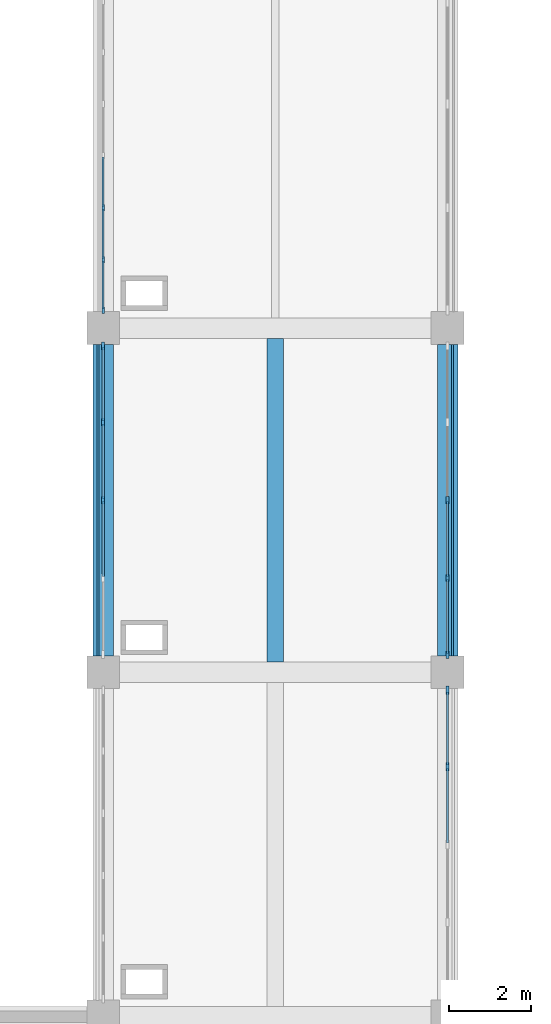
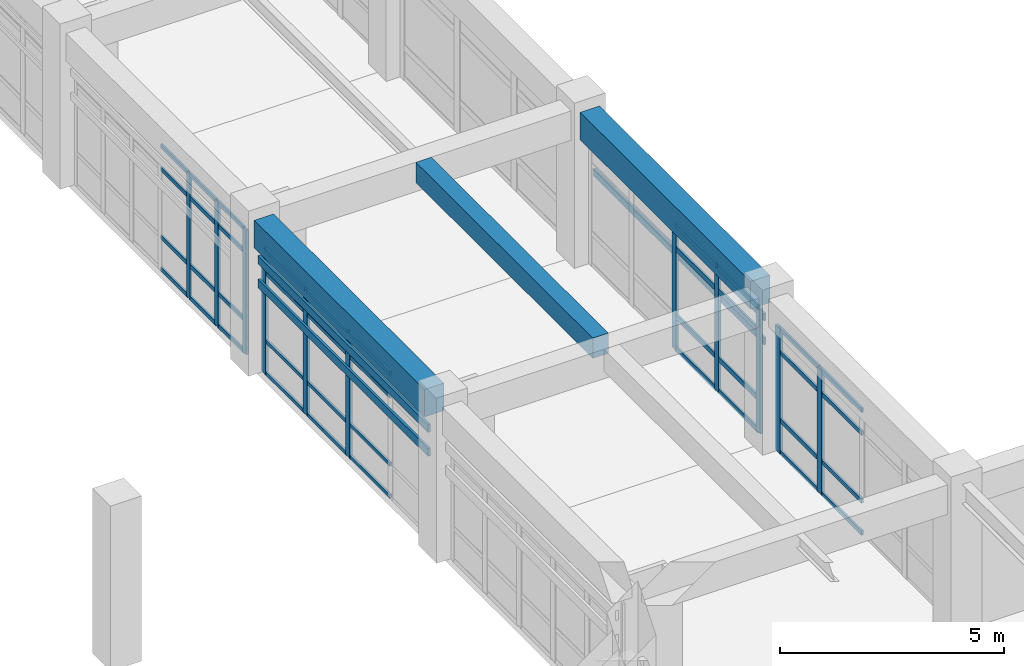
# One storey, part 23 of 99: 55 members, 3 beams, 4 elements without a shape of their own.
"""IFC4 building model written with IfcOpenShell, lengths in metres."""

from ifc_helpers import new_model, si_unit, direction, frame, origin, origin_2d, place, context, subcontext, project, spatial, rectangle, extrude, material, layer, layer_set, material_profile, profile_set, type_object, element, aggregate, save


model = new_model("IFC4")

# Units and contexts
model_context = context("Model", 3, precision=1e-05, world=origin(), true_north=direction((0.0, 1.0)))
body_context = subcontext(model_context, "Body", "Model", "MODEL_VIEW")
ifc_project = project(units=[si_unit("LENGTHUNIT", "METRE"), si_unit("AREAUNIT", "SQUARE_METRE"), si_unit("VOLUMEUNIT", "CUBIC_METRE"), si_unit("PLANEANGLEUNIT", "RADIAN"), si_unit("MASSUNIT", "GRAM", prefix="KILO")], contexts=[model_context])

# Site, building, storey
site_placement = place(None, origin())
site = spatial("IfcSite", under=ifc_project, at=site_placement, CompositionType="ELEMENT")
building_placement = place(site_placement, origin())
building = spatial("IfcBuilding", under=site, at=building_placement, Name="Porcellanite Civic Hall", CompositionType="ELEMENT")
storey_placement = place(building_placement, frame((0.0, 0.0, 5.760009765625)))
storey = spatial("IfcBuildingStorey", under=building, at=storey_placement, Name="L01", CompositionType="ELEMENT", Elevation=5.760009765625)

# Beams
ifc_material_1 = material(Name="Concrete N50 (50 MPa)", Category="concrete")
ifc_material_profile_1 = material_profile(ifc_material_1, rectangle(XDim=0.39990234375, YDim=0.550048828125, at=origin_2d()), Name="RC-400x550")
ifc_profile_set_1 = profile_set([ifc_material_profile_1], Name="Concrete N50 (50 MPa)")
beam_type_1 = type_object("IfcBeamType", Name="BM-RC550", PredefinedType="JOIST", material=ifc_profile_set_1)
beam_placement = place(storey_placement, frame((54.60009765625, 75.849609375, 3.925048828125), z_axis=(0.0, 1.0, 0.0), x_axis=(-1.0, 0.0, 0.0)))
element("IfcBeam", 1, at=beam_placement, inside=storey, type_object=beam_type_1, Name="Secondary joist L01 7-10", PredefinedType="JOIST", context=body_context, shape_type="SweptSolid", body=[
    extrude(rectangle(XDim=0.39990234375, YDim=0.550048828125, at=origin_2d()), origin(), (0.0, 0.0, 1.0), 7.90087890625),
])
ifc_material_2 = material(Name="Concrete N50 (50 MPa)", Category="concrete")
ifc_material_profile_2 = material_profile(ifc_material_2, rectangle(XDim=0.5, YDim=0.75, at=origin_2d()), Name="RC-500x750")
ifc_profile_set_2 = profile_set([ifc_material_profile_2], Name="Concrete N50 (50 MPa)")
beam_type_2 = type_object("IfcBeamType", Name="BM-RC750", PredefinedType="SPANDREL", material=ifc_profile_set_2)
for number, where, z_axis, x_axis, name in (
    (2, (50.39990234375, 75.99951171875, 3.824951171875), (0.0, 1.0, 0.0), (-1.0, 0.0, 0.0), "Beam Y L01 7-10"),
    (3, (58.800048828125, 75.99951171875, 3.824951171875), (0.0, 1.0, 0.0), (-1.0, 0.0, 0.0), "Beam Y L01 8-10"),
):
    element("IfcBeam", number, at=place(storey_placement, frame(where, z_axis=z_axis, x_axis=x_axis)), inside=storey, type_object=beam_type_2, Name=name, PredefinedType="SPANDREL", context=body_context, shape_type="SweptSolid", body=[
        extrude(rectangle(XDim=0.5, YDim=0.75, at=origin_2d()), origin(), (0.0, 0.0, 1.0), 7.60107421875),
    ])

# Curtain wall, members
ifc_material_3 = material(Name="Anodised aluminium and solar laminated glass", Category="aluminium")
ifc_layer_1 = layer(ifc_material_3, 0.179931640625)
ifc_layer_set_1 = layer_set([ifc_layer_1], Name="Anodised aluminium and solar laminated glass")
curtain_wall_type_1 = type_object("IfcCurtainWallType", Name="CW-SYS03", PredefinedType="NOTDEFINED", material=ifc_layer_set_1)
curtain_wall_1_placement = place(storey_placement, origin())
curtain_wall_1 = element("IfcCurtainWall", 4, at=curtain_wall_1_placement, inside=storey, type_object=curtain_wall_type_1, Name="Curtain wall CW-078", PredefinedType="NOTDEFINED")
ifc_material_4 = material(Name="Anodised aluminium 6063-T6", Category="aluminium")
ifc_material_profile_3 = material_profile(ifc_material_4, rectangle(XDim=0.080078125, YDim=0.2099609375, at=origin_2d()), Name="AL-80x210")
ifc_profile_set_3 = profile_set([ifc_material_profile_3], Name="Anodised aluminium 6063-T6")
member_type_1 = type_object("IfcMemberType", Name="CWM-02", PredefinedType="MULLION", material=ifc_profile_set_3)
member_1_placement = place(storey_placement, frame((58.800048828125, 75.158935546875, 0.0), z_axis=(0.0, 0.0, 1.0), x_axis=(1.0, 0.0, 0.0)))
member_1 = element("IfcMember", 5, at=member_1_placement, type_object=member_type_1, Name="CW-078 mullion 1", PredefinedType="MULLION", context=body_context, shape_type="SweptSolid", body=[
    extrude(rectangle(XDim=0.080078125, YDim=0.2099609375, at=origin_2d()), origin(), (0.0, 0.0, 1.0), 3.39990234375),
])
member_2_placement = place(storey_placement, frame((58.800048828125, 73.299560546875, 0.0), z_axis=(0.0, 0.0, 1.0), x_axis=(1.0, 0.0, 0.0)))
member_2 = element("IfcMember", 6, at=member_2_placement, type_object=member_type_1, Name="CW-078 mullion 2", PredefinedType="MULLION", context=body_context, shape_type="SweptSolid", body=[
    extrude(rectangle(XDim=0.080078125, YDim=0.2099609375, at=origin_2d()), origin(), (0.0, 0.0, 1.0), 3.39990234375),
])

ifc_material_5 = material(Name="Anodised aluminium and solar laminated glass", Category="aluminium")
ifc_layer_2 = layer(ifc_material_5, 0.179931640625)
ifc_layer_set_2 = layer_set([ifc_layer_2], Name="Anodised aluminium and solar laminated glass")
curtain_wall_type_2 = type_object("IfcCurtainWallType", Name="CW-SYS04", PredefinedType="NOTDEFINED", material=ifc_layer_set_2)
curtain_wall_2_placement = place(storey_placement, origin())
curtain_wall_2 = element("IfcCurtainWall", 7, at=curtain_wall_2_placement, inside=storey, type_object=curtain_wall_type_2, Name="Curtain wall CW-079", PredefinedType="NOTDEFINED")
ifc_material_6 = material(Name="Anodised aluminium 6063-T6", Category="aluminium")
ifc_material_profile_4 = material_profile(ifc_material_6, rectangle(XDim=0.074951171875, YDim=0.18994140625, at=origin_2d()), Name="AL-75x190")
ifc_profile_set_4 = profile_set([ifc_material_profile_4], Name="Anodised aluminium 6063-T6")
member_type_2 = type_object("IfcMemberType", Name="CWM-04", PredefinedType="MULLION", material=ifc_profile_set_4)
member_3_placement = place(storey_placement, frame((50.39990234375, 79.800048828125, 0.0), z_axis=(0.0, 0.0, 1.0), x_axis=(-1.0, 0.0, 0.0)))
member_3 = element("IfcMember", 8, at=member_3_placement, type_object=member_type_2, Name="CW-079 mullion 3", PredefinedType="MULLION", context=body_context, shape_type="SweptSolid", body=[
    extrude(rectangle(XDim=0.074951171875, YDim=0.18994140625, at=origin_2d()), origin(), (0.0, 0.0, 1.0), 3.39990234375),
])
member_4_placement = place(storey_placement, frame((50.39990234375, 81.699462890625, 0.0), z_axis=(0.0, 0.0, 1.0), x_axis=(-1.0, 0.0, 0.0)))
member_4 = element("IfcMember", 9, at=member_4_placement, type_object=member_type_2, Name="CW-079 mullion 4", PredefinedType="MULLION", context=body_context, shape_type="SweptSolid", body=[
    extrude(rectangle(XDim=0.074951171875, YDim=0.18994140625, at=origin_2d()), origin(), (0.0, 0.0, 1.0), 3.39990234375),
])
member_5_placement = place(storey_placement, frame((50.39990234375, 83.5615234375, 0.0), z_axis=(0.0, 0.0, 1.0), x_axis=(-1.0, 0.0, 0.0)))
member_5 = element("IfcMember", 10, at=member_5_placement, type_object=member_type_2, Name="CW-079 mullion 5", PredefinedType="MULLION", context=body_context, shape_type="SweptSolid", body=[
    extrude(rectangle(XDim=0.074951171875, YDim=0.18994140625, at=origin_2d()), origin(), (0.0, 0.0, 1.0), 3.39990234375),
])

ifc_material_7 = material(Name="Anodised aluminium and solar laminated glass", Category="aluminium")
ifc_layer_3 = layer(ifc_material_7, 0.179931640625)
ifc_layer_set_3 = layer_set([ifc_layer_3], Name="Anodised aluminium and solar laminated glass")
curtain_wall_type_3 = type_object("IfcCurtainWallType", Name="CW-SYS06", PredefinedType="NOTDEFINED", material=ifc_layer_set_3)
curtain_wall_3_placement = place(storey_placement, origin())
curtain_wall_3 = element("IfcCurtainWall", 11, at=curtain_wall_3_placement, inside=storey, type_object=curtain_wall_type_3, Name="Curtain wall CW-080", PredefinedType="NOTDEFINED")
ifc_material_8 = material(Name="Anodised aluminium 6063-T6", Category="aluminium")
ifc_material_profile_5 = material_profile(ifc_material_8, rectangle(XDim=0.06494140625, YDim=0.179931640625, at=origin_2d()), Name="AL-65x180")
ifc_profile_set_5 = profile_set([ifc_material_profile_5], Name="Anodised aluminium 6063-T6")
member_type_3 = type_object("IfcMemberType", Name="CWM-06", PredefinedType="MULLION", material=ifc_profile_set_5)
member_6_placement = place(storey_placement, frame((58.800048828125, 79.800048828125, 0.0), z_axis=(0.0, 0.0, 1.0), x_axis=(1.0, 0.0, 0.0)))
member_6 = element("IfcMember", 12, at=member_6_placement, type_object=member_type_3, Name="CW-080 mullion 3", PredefinedType="MULLION", context=body_context, shape_type="SweptSolid", body=[
    extrude(rectangle(XDim=0.06494140625, YDim=0.179931640625, at=origin_2d()), origin(), (0.0, 0.0, 1.0), 3.39990234375),
])
member_7_placement = place(storey_placement, frame((58.800048828125, 77.900390625, 0.0), z_axis=(0.0, 0.0, 1.0), x_axis=(1.0, 0.0, 0.0)))
member_7 = element("IfcMember", 13, at=member_7_placement, type_object=member_type_3, Name="CW-080 mullion 4", PredefinedType="MULLION", context=body_context, shape_type="SweptSolid", body=[
    extrude(rectangle(XDim=0.06494140625, YDim=0.179931640625, at=origin_2d()), origin(), (0.0, 0.0, 1.0), 3.39990234375),
])
member_8_placement = place(storey_placement, frame((58.800048828125, 76.033447265625, 0.0), z_axis=(0.0, 0.0, 1.0), x_axis=(1.0, 0.0, 0.0)))
member_8 = element("IfcMember", 14, at=member_8_placement, type_object=member_type_3, Name="CW-080 mullion 5", PredefinedType="MULLION", context=body_context, shape_type="SweptSolid", body=[
    extrude(rectangle(XDim=0.06494140625, YDim=0.179931640625, at=origin_2d()), origin(), (0.0, 0.0, 1.0), 3.39990234375),
])

ifc_material_9 = material(Name="Anodised aluminium and solar laminated glass", Category="aluminium")
ifc_layer_4 = layer(ifc_material_9, 0.179931640625)
ifc_layer_set_4 = layer_set([ifc_layer_4], Name="Anodised aluminium and solar laminated glass")
curtain_wall_type_4 = type_object("IfcCurtainWallType", Name="CW-SYS07", PredefinedType="NOTDEFINED", material=ifc_layer_set_4)
curtain_wall_4_placement = place(storey_placement, origin())
curtain_wall_4 = element("IfcCurtainWall", 15, at=curtain_wall_4_placement, inside=storey, type_object=curtain_wall_type_4, Name="Curtain wall CW-081", PredefinedType="NOTDEFINED")
ifc_material_10 = material(Name="Anodised aluminium 6063-T6", Category="aluminium")
ifc_material_profile_6 = material_profile(ifc_material_10, rectangle(XDim=0.06005859375, YDim=0.159912109375, at=origin_2d()), Name="AL-60x160")
ifc_profile_set_6 = profile_set([ifc_material_profile_6], Name="Anodised aluminium 6063-T6")
member_type_4 = type_object("IfcMemberType", Name="CWM-07", PredefinedType="MULLION", material=ifc_profile_set_6)
member_9_placement = place(storey_placement, frame((50.39990234375, 84.430908203125, 0.0), z_axis=(0.0, 0.0, 1.0), x_axis=(-1.0, 0.0, 0.0)))
member_9 = element("IfcMember", 16, at=member_9_placement, type_object=member_type_4, Name="CW-081 mullion 1", PredefinedType="MULLION", context=body_context, shape_type="SweptSolid", body=[
    extrude(rectangle(XDim=0.06005859375, YDim=0.159912109375, at=origin_2d()), origin(), (0.0, 0.0, 1.0), 3.39990234375),
])
member_10_placement = place(storey_placement, frame((50.39990234375, 85.667236328125, 0.0), z_axis=(0.0, 0.0, 1.0), x_axis=(-1.0, 0.0, 0.0)))
member_10 = element("IfcMember", 17, at=member_10_placement, type_object=member_type_4, Name="CW-081 mullion 2", PredefinedType="MULLION", context=body_context, shape_type="SweptSolid", body=[
    extrude(rectangle(XDim=0.06005859375, YDim=0.159912109375, at=origin_2d()), origin(), (0.0, 0.0, 1.0), 3.39990234375),
])
member_11_placement = place(storey_placement, frame((50.39990234375, 86.93359375, 0.0), z_axis=(0.0, 0.0, 1.0), x_axis=(-1.0, 0.0, 0.0)))
member_11 = element("IfcMember", 18, at=member_11_placement, type_object=member_type_4, Name="CW-081 mullion 3", PredefinedType="MULLION", context=body_context, shape_type="SweptSolid", body=[
    extrude(rectangle(XDim=0.06005859375, YDim=0.159912109375, at=origin_2d()), origin(), (0.0, 0.0, 1.0), 3.39990234375),
])

# Member
ifc_material_11 = material(Name="Anodised aluminium 6063-T6", Category="aluminium")
ifc_material_profile_7 = material_profile(ifc_material_11, rectangle(XDim=0.054931640625, YDim=0.1201171875, at=origin_2d()), Name="AL-55x120")
ifc_profile_set_7 = profile_set([ifc_material_profile_7], Name="Anodised aluminium 6063-T6")
member_type_5 = type_object("IfcMemberType", Name="CWT-04", PredefinedType="USERDEFINED", material=ifc_profile_set_7)
member_12_placement = place(storey_placement, frame((58.800048828125, 75.118896484375, 0.027587890625), z_axis=(0.0, -1.0, 0.0), x_axis=(1.0, 0.0, 0.0)))
member_12 = element("IfcMember", 19, at=member_12_placement, type_object=member_type_5, Name="CW-078 transom 1.1", ObjectType="TRANSOM", PredefinedType="USERDEFINED", context=body_context, shape_type="SweptSolid", body=[
    extrude(rectangle(XDim=0.054931640625, YDim=0.1201171875, at=origin_2d()), origin(), (0.0, 0.0, 1.0), 1.779296875),
])

member_13_placement = place(storey_placement, frame((58.800048828125, 75.118896484375, 0.89990234375), z_axis=(0.0, -1.0, 0.0), x_axis=(1.0, 0.0, 0.0)))
member_13 = element("IfcMember", 20, at=member_13_placement, type_object=member_type_5, Name="CW-078 transom 1.2", ObjectType="TRANSOM", PredefinedType="USERDEFINED", context=body_context, shape_type="SweptSolid", body=[
    extrude(rectangle(XDim=0.054931640625, YDim=0.1201171875, at=origin_2d()), origin(), (0.0, 0.0, 1.0), 1.779296875),
])

member_14_placement = place(storey_placement, frame((58.800048828125, 75.118896484375, 2.75), z_axis=(0.0, -1.0, 0.0), x_axis=(1.0, 0.0, 0.0)))
member_14 = element("IfcMember", 21, at=member_14_placement, type_object=member_type_5, Name="CW-078 transom 1.3", ObjectType="TRANSOM", PredefinedType="USERDEFINED", context=body_context, shape_type="SweptSolid", body=[
    extrude(rectangle(XDim=0.054931640625, YDim=0.1201171875, at=origin_2d()), origin(), (0.0, 0.0, 1.0), 1.779296875),
])

member_15_placement = place(storey_placement, frame((58.800048828125, 75.118896484375, 3.37255859375), z_axis=(0.0, -1.0, 0.0), x_axis=(1.0, 0.0, 0.0)))
member_15 = element("IfcMember", 22, at=member_15_placement, type_object=member_type_5, Name="CW-078 transom 1.4", ObjectType="TRANSOM", PredefinedType="USERDEFINED", context=body_context, shape_type="SweptSolid", body=[
    extrude(rectangle(XDim=0.054931640625, YDim=0.1201171875, at=origin_2d()), origin(), (0.0, 0.0, 1.0), 1.779296875),
])

member_16_placement = place(storey_placement, frame((58.800048828125, 73.259521484375, 0.027587890625), z_axis=(0.0, -1.0, 0.0), x_axis=(1.0, 0.0, 0.0)))
member_16 = element("IfcMember", 23, at=member_16_placement, type_object=member_type_5, Name="CW-078 transom 2.1", ObjectType="TRANSOM", PredefinedType="USERDEFINED", context=body_context, shape_type="SweptSolid", body=[
    extrude(rectangle(XDim=0.054931640625, YDim=0.1201171875, at=origin_2d()), origin(), (0.0, 0.0, 1.0), 1.819580078125),
])

member_17_placement = place(storey_placement, frame((58.800048828125, 73.259521484375, 0.89990234375), z_axis=(0.0, -1.0, 0.0), x_axis=(1.0, 0.0, 0.0)))
member_17 = element("IfcMember", 24, at=member_17_placement, type_object=member_type_5, Name="CW-078 transom 2.2", ObjectType="TRANSOM", PredefinedType="USERDEFINED", context=body_context, shape_type="SweptSolid", body=[
    extrude(rectangle(XDim=0.054931640625, YDim=0.1201171875, at=origin_2d()), origin(), (0.0, 0.0, 1.0), 1.819580078125),
])

member_18_placement = place(storey_placement, frame((58.800048828125, 73.259521484375, 2.75), z_axis=(0.0, -1.0, 0.0), x_axis=(1.0, 0.0, 0.0)))
member_18 = element("IfcMember", 25, at=member_18_placement, type_object=member_type_5, Name="CW-078 transom 2.3", ObjectType="TRANSOM", PredefinedType="USERDEFINED", context=body_context, shape_type="SweptSolid", body=[
    extrude(rectangle(XDim=0.054931640625, YDim=0.1201171875, at=origin_2d()), origin(), (0.0, 0.0, 1.0), 1.819580078125),
])

member_19_placement = place(storey_placement, frame((58.800048828125, 73.259521484375, 3.37255859375), z_axis=(0.0, -1.0, 0.0), x_axis=(1.0, 0.0, 0.0)))
member_19 = element("IfcMember", 26, at=member_19_placement, type_object=member_type_5, Name="CW-078 transom 2.4", ObjectType="TRANSOM", PredefinedType="USERDEFINED", context=body_context, shape_type="SweptSolid", body=[
    extrude(rectangle(XDim=0.054931640625, YDim=0.1201171875, at=origin_2d()), origin(), (0.0, 0.0, 1.0), 1.819580078125),
])

aggregate(curtain_wall_1, [member_1, member_2, member_12, member_13, member_14, member_15, member_16, member_17, member_18, member_19])

ifc_material_12 = material(Name="Anodised aluminium 6063-T6", Category="aluminium")
ifc_material_profile_8 = material_profile(ifc_material_12, rectangle(XDim=0.054931640625, YDim=0.10009765625, at=origin_2d()), Name="AL-55x100")
ifc_profile_set_8 = profile_set([ifc_material_profile_8], Name="Anodised aluminium 6063-T6")
member_type_6 = type_object("IfcMemberType", Name="CWT-05", PredefinedType="USERDEFINED", material=ifc_profile_set_8)
member_20_placement = place(storey_placement, frame((50.39990234375, 77.93798828125, 0.027587890625), z_axis=(0.0, 1.0, 0.0), x_axis=(-1.0, 0.0, 0.0)))
member_20 = element("IfcMember", 27, at=member_20_placement, type_object=member_type_6, Name="CW-079 transom 2.1", ObjectType="TRANSOM", PredefinedType="USERDEFINED", context=body_context, shape_type="SweptSolid", body=[
    extrude(rectangle(XDim=0.054931640625, YDim=0.10009765625, at=origin_2d()), origin(), (0.0, 0.0, 1.0), 1.824462890625),
])

member_21_placement = place(storey_placement, frame((50.39990234375, 77.93798828125, 0.89990234375), z_axis=(0.0, 1.0, 0.0), x_axis=(-1.0, 0.0, 0.0)))
member_21 = element("IfcMember", 28, at=member_21_placement, type_object=member_type_6, Name="CW-079 transom 2.2", ObjectType="TRANSOM", PredefinedType="USERDEFINED", context=body_context, shape_type="SweptSolid", body=[
    extrude(rectangle(XDim=0.054931640625, YDim=0.10009765625, at=origin_2d()), origin(), (0.0, 0.0, 1.0), 1.824462890625),
])

member_22_placement = place(storey_placement, frame((50.39990234375, 77.93798828125, 2.75), z_axis=(0.0, 1.0, 0.0), x_axis=(-1.0, 0.0, 0.0)))
member_22 = element("IfcMember", 29, at=member_22_placement, type_object=member_type_6, Name="CW-079 transom 2.3", ObjectType="TRANSOM", PredefinedType="USERDEFINED", context=body_context, shape_type="SweptSolid", body=[
    extrude(rectangle(XDim=0.054931640625, YDim=0.10009765625, at=origin_2d()), origin(), (0.0, 0.0, 1.0), 1.824462890625),
])

member_23_placement = place(storey_placement, frame((50.39990234375, 77.93798828125, 3.37255859375), z_axis=(0.0, 1.0, 0.0), x_axis=(-1.0, 0.0, 0.0)))
member_23 = element("IfcMember", 30, at=member_23_placement, type_object=member_type_6, Name="CW-079 transom 2.4", ObjectType="TRANSOM", PredefinedType="USERDEFINED", context=body_context, shape_type="SweptSolid", body=[
    extrude(rectangle(XDim=0.054931640625, YDim=0.10009765625, at=origin_2d()), origin(), (0.0, 0.0, 1.0), 1.824462890625),
])

member_24_placement = place(storey_placement, frame((50.39990234375, 79.83740234375, 0.027587890625), z_axis=(0.0, 1.0, 0.0), x_axis=(-1.0, 0.0, 0.0)))
member_24 = element("IfcMember", 31, at=member_24_placement, type_object=member_type_6, Name="CW-079 transom 3.1", ObjectType="TRANSOM", PredefinedType="USERDEFINED", context=body_context, shape_type="SweptSolid", body=[
    extrude(rectangle(XDim=0.054931640625, YDim=0.10009765625, at=origin_2d()), origin(), (0.0, 0.0, 1.0), 1.82470703125),
])

member_25_placement = place(storey_placement, frame((50.39990234375, 79.83740234375, 0.89990234375), z_axis=(0.0, 1.0, 0.0), x_axis=(-1.0, 0.0, 0.0)))
member_25 = element("IfcMember", 32, at=member_25_placement, type_object=member_type_6, Name="CW-079 transom 3.2", ObjectType="TRANSOM", PredefinedType="USERDEFINED", context=body_context, shape_type="SweptSolid", body=[
    extrude(rectangle(XDim=0.054931640625, YDim=0.10009765625, at=origin_2d()), origin(), (0.0, 0.0, 1.0), 1.82470703125),
])

member_26_placement = place(storey_placement, frame((50.39990234375, 79.83740234375, 2.75), z_axis=(0.0, 1.0, 0.0), x_axis=(-1.0, 0.0, 0.0)))
member_26 = element("IfcMember", 33, at=member_26_placement, type_object=member_type_6, Name="CW-079 transom 3.3", ObjectType="TRANSOM", PredefinedType="USERDEFINED", context=body_context, shape_type="SweptSolid", body=[
    extrude(rectangle(XDim=0.054931640625, YDim=0.10009765625, at=origin_2d()), origin(), (0.0, 0.0, 1.0), 1.82470703125),
])

member_27_placement = place(storey_placement, frame((50.39990234375, 79.83740234375, 3.37255859375), z_axis=(0.0, 1.0, 0.0), x_axis=(-1.0, 0.0, 0.0)))
member_27 = element("IfcMember", 34, at=member_27_placement, type_object=member_type_6, Name="CW-079 transom 3.4", ObjectType="TRANSOM", PredefinedType="USERDEFINED", context=body_context, shape_type="SweptSolid", body=[
    extrude(rectangle(XDim=0.054931640625, YDim=0.10009765625, at=origin_2d()), origin(), (0.0, 0.0, 1.0), 1.82470703125),
])

member_28_placement = place(storey_placement, frame((50.39990234375, 81.737060546875, 0.027587890625), z_axis=(0.0, 1.0, 0.0), x_axis=(-1.0, 0.0, 0.0)))
member_28 = element("IfcMember", 35, at=member_28_placement, type_object=member_type_6, Name="CW-079 transom 4.1", ObjectType="TRANSOM", PredefinedType="USERDEFINED", context=body_context, shape_type="SweptSolid", body=[
    extrude(rectangle(XDim=0.054931640625, YDim=0.10009765625, at=origin_2d()), origin(), (0.0, 0.0, 1.0), 1.786865234375),
])

member_29_placement = place(storey_placement, frame((50.39990234375, 81.737060546875, 0.89990234375), z_axis=(0.0, 1.0, 0.0), x_axis=(-1.0, 0.0, 0.0)))
member_29 = element("IfcMember", 36, at=member_29_placement, type_object=member_type_6, Name="CW-079 transom 4.2", ObjectType="TRANSOM", PredefinedType="USERDEFINED", context=body_context, shape_type="SweptSolid", body=[
    extrude(rectangle(XDim=0.054931640625, YDim=0.10009765625, at=origin_2d()), origin(), (0.0, 0.0, 1.0), 1.786865234375),
])

member_30_placement = place(storey_placement, frame((50.39990234375, 81.737060546875, 2.75), z_axis=(0.0, 1.0, 0.0), x_axis=(-1.0, 0.0, 0.0)))
member_30 = element("IfcMember", 37, at=member_30_placement, type_object=member_type_6, Name="CW-079 transom 4.3", ObjectType="TRANSOM", PredefinedType="USERDEFINED", context=body_context, shape_type="SweptSolid", body=[
    extrude(rectangle(XDim=0.054931640625, YDim=0.10009765625, at=origin_2d()), origin(), (0.0, 0.0, 1.0), 1.786865234375),
])

member_31_placement = place(storey_placement, frame((50.39990234375, 81.737060546875, 3.37255859375), z_axis=(0.0, 1.0, 0.0), x_axis=(-1.0, 0.0, 0.0)))
member_31 = element("IfcMember", 38, at=member_31_placement, type_object=member_type_6, Name="CW-079 transom 4.4", ObjectType="TRANSOM", PredefinedType="USERDEFINED", context=body_context, shape_type="SweptSolid", body=[
    extrude(rectangle(XDim=0.054931640625, YDim=0.10009765625, at=origin_2d()), origin(), (0.0, 0.0, 1.0), 1.786865234375),
])

aggregate(curtain_wall_2, [member_3, member_4, member_5, member_20, member_21, member_22, member_23, member_24, member_25, member_26, member_27, member_28, member_29, member_30, member_31])

ifc_material_13 = material(Name="Anodised aluminium 6063-T6", Category="aluminium")
ifc_material_profile_9 = material_profile(ifc_material_13, rectangle(XDim=0.050048828125, YDim=0.139892578125, at=origin_2d()), Name="AL-50x140")
ifc_profile_set_9 = profile_set([ifc_material_profile_9], Name="Anodised aluminium 6063-T6")
member_type_7 = type_object("IfcMemberType", Name="CWT-06", PredefinedType="USERDEFINED", material=ifc_profile_set_9)
member_32_placement = place(storey_placement, frame((58.800048828125, 79.767578125, 0.02490234375), z_axis=(0.0, -1.0, 0.0), x_axis=(1.0, 0.0, 0.0)))
member_32 = element("IfcMember", 39, at=member_32_placement, type_object=member_type_7, Name="CW-080 transom 3.1", ObjectType="TRANSOM", PredefinedType="USERDEFINED", context=body_context, shape_type="SweptSolid", body=[
    extrude(rectangle(XDim=0.050048828125, YDim=0.139892578125, at=origin_2d()), origin(), (0.0, 0.0, 1.0), 1.83447265625),
])

member_33_placement = place(storey_placement, frame((58.800048828125, 79.767578125, 0.89990234375), z_axis=(0.0, -1.0, 0.0), x_axis=(1.0, 0.0, 0.0)))
member_33 = element("IfcMember", 40, at=member_33_placement, type_object=member_type_7, Name="CW-080 transom 3.2", ObjectType="TRANSOM", PredefinedType="USERDEFINED", context=body_context, shape_type="SweptSolid", body=[
    extrude(rectangle(XDim=0.050048828125, YDim=0.139892578125, at=origin_2d()), origin(), (0.0, 0.0, 1.0), 1.83447265625),
])

member_34_placement = place(storey_placement, frame((58.800048828125, 79.767578125, 2.75), z_axis=(0.0, -1.0, 0.0), x_axis=(1.0, 0.0, 0.0)))
member_34 = element("IfcMember", 41, at=member_34_placement, type_object=member_type_7, Name="CW-080 transom 3.3", ObjectType="TRANSOM", PredefinedType="USERDEFINED", context=body_context, shape_type="SweptSolid", body=[
    extrude(rectangle(XDim=0.050048828125, YDim=0.139892578125, at=origin_2d()), origin(), (0.0, 0.0, 1.0), 1.83447265625),
])

member_35_placement = place(storey_placement, frame((58.800048828125, 79.767578125, 3.375), z_axis=(0.0, -1.0, 0.0), x_axis=(1.0, 0.0, 0.0)))
member_35 = element("IfcMember", 42, at=member_35_placement, type_object=member_type_7, Name="CW-080 transom 3.4", ObjectType="TRANSOM", PredefinedType="USERDEFINED", context=body_context, shape_type="SweptSolid", body=[
    extrude(rectangle(XDim=0.050048828125, YDim=0.139892578125, at=origin_2d()), origin(), (0.0, 0.0, 1.0), 1.83447265625),
])

member_36_placement = place(storey_placement, frame((58.800048828125, 77.867919921875, 0.02490234375), z_axis=(0.0, -1.0, 0.0), x_axis=(1.0, 0.0, 0.0)))
member_36 = element("IfcMember", 43, at=member_36_placement, type_object=member_type_7, Name="CW-080 transom 4.1", ObjectType="TRANSOM", PredefinedType="USERDEFINED", context=body_context, shape_type="SweptSolid", body=[
    extrude(rectangle(XDim=0.050048828125, YDim=0.139892578125, at=origin_2d()), origin(), (0.0, 0.0, 1.0), 1.802001953125),
])

member_37_placement = place(storey_placement, frame((58.800048828125, 77.867919921875, 0.89990234375), z_axis=(0.0, -1.0, 0.0), x_axis=(1.0, 0.0, 0.0)))
member_37 = element("IfcMember", 44, at=member_37_placement, type_object=member_type_7, Name="CW-080 transom 4.2", ObjectType="TRANSOM", PredefinedType="USERDEFINED", context=body_context, shape_type="SweptSolid", body=[
    extrude(rectangle(XDim=0.050048828125, YDim=0.139892578125, at=origin_2d()), origin(), (0.0, 0.0, 1.0), 1.802001953125),
])

member_38_placement = place(storey_placement, frame((58.800048828125, 77.867919921875, 2.75), z_axis=(0.0, -1.0, 0.0), x_axis=(1.0, 0.0, 0.0)))
member_38 = element("IfcMember", 45, at=member_38_placement, type_object=member_type_7, Name="CW-080 transom 4.3", ObjectType="TRANSOM", PredefinedType="USERDEFINED", context=body_context, shape_type="SweptSolid", body=[
    extrude(rectangle(XDim=0.050048828125, YDim=0.139892578125, at=origin_2d()), origin(), (0.0, 0.0, 1.0), 1.802001953125),
])

member_39_placement = place(storey_placement, frame((58.800048828125, 77.867919921875, 3.375), z_axis=(0.0, -1.0, 0.0), x_axis=(1.0, 0.0, 0.0)))
member_39 = element("IfcMember", 46, at=member_39_placement, type_object=member_type_7, Name="CW-080 transom 4.4", ObjectType="TRANSOM", PredefinedType="USERDEFINED", context=body_context, shape_type="SweptSolid", body=[
    extrude(rectangle(XDim=0.050048828125, YDim=0.139892578125, at=origin_2d()), origin(), (0.0, 0.0, 1.0), 1.802001953125),
])

aggregate(curtain_wall_3, [member_6, member_7, member_8, member_32, member_33, member_34, member_35, member_36, member_37, member_38, member_39])

ifc_material_14 = material(Name="Anodised aluminium 6063-T6", Category="aluminium")
ifc_material_profile_10 = material_profile(ifc_material_14, rectangle(XDim=0.050048828125, YDim=0.110107421875, at=origin_2d()), Name="AL-50x110")
ifc_profile_set_10 = profile_set([ifc_material_profile_10], Name="Anodised aluminium 6063-T6")
member_type_8 = type_object("IfcMemberType", Name="CWT-07", PredefinedType="USERDEFINED", material=ifc_profile_set_10)
member_40_placement = place(storey_placement, frame((50.39990234375, 84.4609375, 0.02490234375), z_axis=(0.0, 1.0, 0.0), x_axis=(-1.0, 0.0, 0.0)))
member_40 = element("IfcMember", 47, at=member_40_placement, type_object=member_type_8, Name="CW-081 transom 1.1", ObjectType="TRANSOM", PredefinedType="USERDEFINED", context=body_context, shape_type="SweptSolid", body=[
    extrude(rectangle(XDim=0.050048828125, YDim=0.110107421875, at=origin_2d()), origin(), (0.0, 0.0, 1.0), 1.176513671875),
])

member_41_placement = place(storey_placement, frame((50.39990234375, 84.4609375, 0.89990234375), z_axis=(0.0, 1.0, 0.0), x_axis=(-1.0, 0.0, 0.0)))
member_41 = element("IfcMember", 48, at=member_41_placement, type_object=member_type_8, Name="CW-081 transom 1.2", ObjectType="TRANSOM", PredefinedType="USERDEFINED", context=body_context, shape_type="SweptSolid", body=[
    extrude(rectangle(XDim=0.050048828125, YDim=0.110107421875, at=origin_2d()), origin(), (0.0, 0.0, 1.0), 1.176513671875),
])

member_42_placement = place(storey_placement, frame((50.39990234375, 84.4609375, 2.75), z_axis=(0.0, 1.0, 0.0), x_axis=(-1.0, 0.0, 0.0)))
member_42 = element("IfcMember", 49, at=member_42_placement, type_object=member_type_8, Name="CW-081 transom 1.3", ObjectType="TRANSOM", PredefinedType="USERDEFINED", context=body_context, shape_type="SweptSolid", body=[
    extrude(rectangle(XDim=0.050048828125, YDim=0.110107421875, at=origin_2d()), origin(), (0.0, 0.0, 1.0), 1.176513671875),
])

member_43_placement = place(storey_placement, frame((50.39990234375, 84.4609375, 3.375), z_axis=(0.0, 1.0, 0.0), x_axis=(-1.0, 0.0, 0.0)))
member_43 = element("IfcMember", 50, at=member_43_placement, type_object=member_type_8, Name="CW-081 transom 1.4", ObjectType="TRANSOM", PredefinedType="USERDEFINED", context=body_context, shape_type="SweptSolid", body=[
    extrude(rectangle(XDim=0.050048828125, YDim=0.110107421875, at=origin_2d()), origin(), (0.0, 0.0, 1.0), 1.176513671875),
])

member_44_placement = place(storey_placement, frame((50.39990234375, 85.697265625, 0.02490234375), z_axis=(0.0, 1.0, 0.0), x_axis=(-1.0, 0.0, 0.0)))
member_44 = element("IfcMember", 51, at=member_44_placement, type_object=member_type_8, Name="CW-081 transom 2.1", ObjectType="TRANSOM", PredefinedType="USERDEFINED", context=body_context, shape_type="SweptSolid", body=[
    extrude(rectangle(XDim=0.050048828125, YDim=0.110107421875, at=origin_2d()), origin(), (0.0, 0.0, 1.0), 1.206298828125),
])

member_45_placement = place(storey_placement, frame((50.39990234375, 85.697265625, 0.89990234375), z_axis=(0.0, 1.0, 0.0), x_axis=(-1.0, 0.0, 0.0)))
member_45 = element("IfcMember", 52, at=member_45_placement, type_object=member_type_8, Name="CW-081 transom 2.2", ObjectType="TRANSOM", PredefinedType="USERDEFINED", context=body_context, shape_type="SweptSolid", body=[
    extrude(rectangle(XDim=0.050048828125, YDim=0.110107421875, at=origin_2d()), origin(), (0.0, 0.0, 1.0), 1.206298828125),
])

member_46_placement = place(storey_placement, frame((50.39990234375, 85.697265625, 2.75), z_axis=(0.0, 1.0, 0.0), x_axis=(-1.0, 0.0, 0.0)))
member_46 = element("IfcMember", 53, at=member_46_placement, type_object=member_type_8, Name="CW-081 transom 2.3", ObjectType="TRANSOM", PredefinedType="USERDEFINED", context=body_context, shape_type="SweptSolid", body=[
    extrude(rectangle(XDim=0.050048828125, YDim=0.110107421875, at=origin_2d()), origin(), (0.0, 0.0, 1.0), 1.206298828125),
])

member_47_placement = place(storey_placement, frame((50.39990234375, 85.697265625, 3.375), z_axis=(0.0, 1.0, 0.0), x_axis=(-1.0, 0.0, 0.0)))
member_47 = element("IfcMember", 54, at=member_47_placement, type_object=member_type_8, Name="CW-081 transom 2.4", ObjectType="TRANSOM", PredefinedType="USERDEFINED", context=body_context, shape_type="SweptSolid", body=[
    extrude(rectangle(XDim=0.050048828125, YDim=0.110107421875, at=origin_2d()), origin(), (0.0, 0.0, 1.0), 1.206298828125),
])

member_48_placement = place(storey_placement, frame((50.39990234375, 86.963623046875, 0.02490234375), z_axis=(0.0, 1.0, 0.0), x_axis=(-1.0, 0.0, 0.0)))
member_48 = element("IfcMember", 55, at=member_48_placement, type_object=member_type_8, Name="CW-081 transom 3.1", ObjectType="TRANSOM", PredefinedType="USERDEFINED", context=body_context, shape_type="SweptSolid", body=[
    extrude(rectangle(XDim=0.050048828125, YDim=0.110107421875, at=origin_2d()), origin(), (0.0, 0.0, 1.0), 1.206298828125),
])

member_49_placement = place(storey_placement, frame((50.39990234375, 86.963623046875, 0.89990234375), z_axis=(0.0, 1.0, 0.0), x_axis=(-1.0, 0.0, 0.0)))
member_49 = element("IfcMember", 56, at=member_49_placement, type_object=member_type_8, Name="CW-081 transom 3.2", ObjectType="TRANSOM", PredefinedType="USERDEFINED", context=body_context, shape_type="SweptSolid", body=[
    extrude(rectangle(XDim=0.050048828125, YDim=0.110107421875, at=origin_2d()), origin(), (0.0, 0.0, 1.0), 1.206298828125),
])

member_50_placement = place(storey_placement, frame((50.39990234375, 86.963623046875, 2.75), z_axis=(0.0, 1.0, 0.0), x_axis=(-1.0, 0.0, 0.0)))
member_50 = element("IfcMember", 57, at=member_50_placement, type_object=member_type_8, Name="CW-081 transom 3.3", ObjectType="TRANSOM", PredefinedType="USERDEFINED", context=body_context, shape_type="SweptSolid", body=[
    extrude(rectangle(XDim=0.050048828125, YDim=0.110107421875, at=origin_2d()), origin(), (0.0, 0.0, 1.0), 1.206298828125),
])

member_51_placement = place(storey_placement, frame((50.39990234375, 86.963623046875, 3.375), z_axis=(0.0, 1.0, 0.0), x_axis=(-1.0, 0.0, 0.0)))
member_51 = element("IfcMember", 58, at=member_51_placement, type_object=member_type_8, Name="CW-081 transom 3.4", ObjectType="TRANSOM", PredefinedType="USERDEFINED", context=body_context, shape_type="SweptSolid", body=[
    extrude(rectangle(XDim=0.050048828125, YDim=0.110107421875, at=origin_2d()), origin(), (0.0, 0.0, 1.0), 1.206298828125),
])

aggregate(curtain_wall_4, [member_9, member_10, member_11, member_40, member_41, member_42, member_43, member_44, member_45, member_46, member_47, member_48, member_49, member_50, member_51])

# Members
ifc_material_15 = material(Name="Fluoropolymer bauxite-red aluminium 6063-T6", Category="aluminium")
ifc_material_profile_11 = material_profile(ifc_material_15, rectangle(XDim=0.06005859375, YDim=0.219970703125, at=origin_2d()), Name="AL-60x220")
ifc_profile_set_11 = profile_set([ifc_material_profile_11], Name="Fluoropolymer bauxite-red aluminium 6063-T6")
member_type_9 = type_object("IfcMemberType", Name="LV-BLD08", PredefinedType="USERDEFINED", material=ifc_profile_set_11)
for number, where, z_axis, x_axis, name in (
    (59, (50.27294921875, 75.99951171875, 3.10009765625), (0.0, 1.0, 0.0), (-1.0, 0.0, 0.0), "Cyclone sunshade louvre L01 W 6-9 1"),
    (60, (50.27294921875, 75.99951171875, 2.449951171875), (0.0, 1.0, 0.0), (-1.0, 0.0, 0.0), "Cyclone sunshade louvre L01 W 6-9 2"),
):
    element("IfcMember", number, at=place(storey_placement, frame(where, z_axis=z_axis, x_axis=x_axis)), inside=storey, type_object=member_type_9, Name=name, ObjectType="LOUVRE BLADE", PredefinedType="USERDEFINED", context=body_context, shape_type="SweptSolid", body=[
        extrude(rectangle(XDim=0.06005859375, YDim=0.219970703125, at=origin_2d()), origin(), (0.0, 0.0, 1.0), 7.60107421875),
    ])
ifc_material_16 = material(Name="Fluoropolymer bauxite-red aluminium 6063-T6", Category="aluminium")
ifc_material_profile_12 = material_profile(ifc_material_16, rectangle(XDim=0.054931640625, YDim=0.199951171875, at=origin_2d()), Name="AL-55x200")
ifc_profile_set_12 = profile_set([ifc_material_profile_12], Name="Fluoropolymer bauxite-red aluminium 6063-T6")
member_type_10 = type_object("IfcMemberType", Name="LV-BLD09", PredefinedType="USERDEFINED", material=ifc_profile_set_12)
for number, where, z_axis, x_axis, name in (
    (61, (58.91943359375, 83.6005859375, 3.10009765625), (0.0, -1.0, 0.0), (1.0, 0.0, 0.0), "Cyclone sunshade louvre L01 E 6-9 1"),
    (62, (58.91943359375, 83.6005859375, 2.449951171875), (0.0, -1.0, 0.0), (1.0, 0.0, 0.0), "Cyclone sunshade louvre L01 E 6-9 2"),
):
    element("IfcMember", number, at=place(storey_placement, frame(where, z_axis=z_axis, x_axis=x_axis)), inside=storey, type_object=member_type_10, Name=name, ObjectType="LOUVRE BLADE", PredefinedType="USERDEFINED", context=body_context, shape_type="SweptSolid", body=[
        extrude(rectangle(XDim=0.054931640625, YDim=0.199951171875, at=origin_2d()), origin(), (0.0, 0.0, 1.0), 7.60107421875),
    ])

save(model, "model.ifc")
